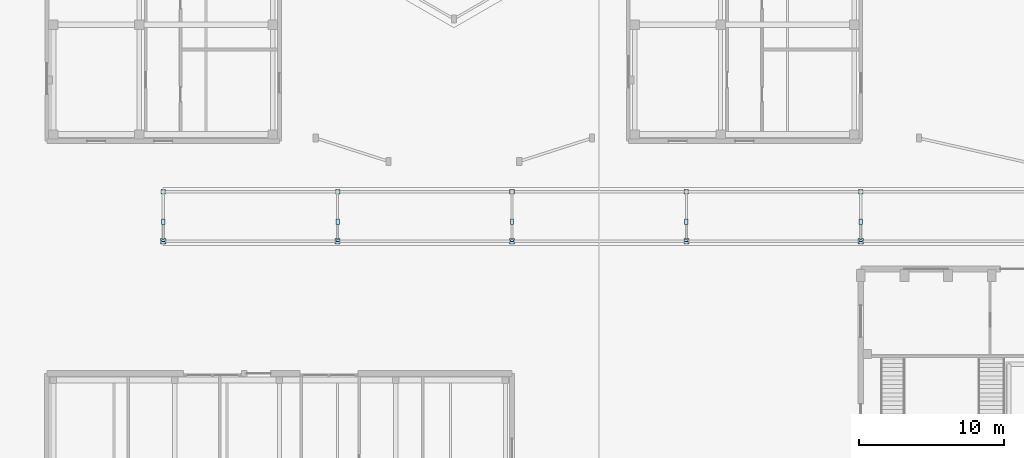
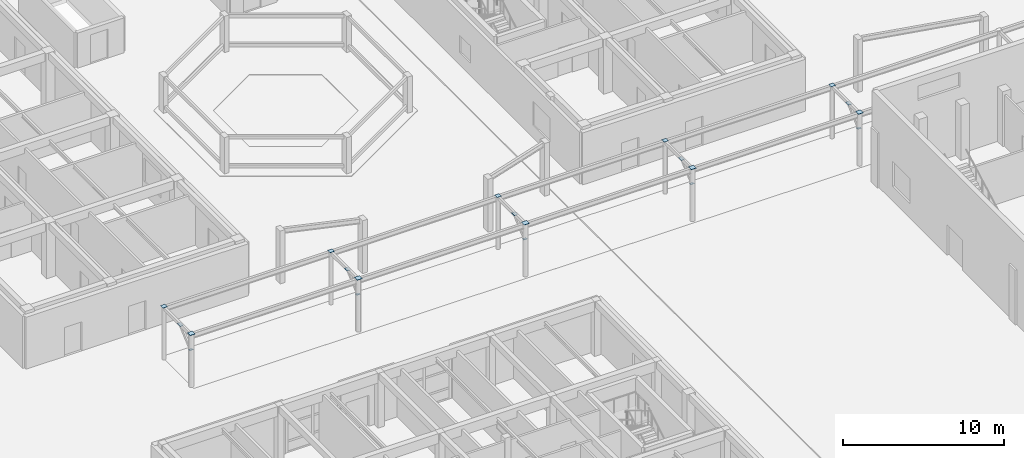
# One storey, part 68 of 114: 20 plates.
"""IFC4 building model written with IfcOpenShell, lengths in metres."""

from ifc_helpers import new_model, si_unit, direction, frame, origin, origin_2d, place, context, subcontext, project, spatial, rectangle, extrude, material, layer, layer_set, type_object, element, save


model = new_model("IFC4")

# Units and contexts
model_context = context("Model", 3, precision=1e-05, world=origin(), true_north=direction((0.0, 1.0)))
body_context = subcontext(model_context, "Body", "Model", "MODEL_VIEW")
ifc_project = project(units=[si_unit("LENGTHUNIT", "METRE"), si_unit("AREAUNIT", "SQUARE_METRE"), si_unit("VOLUMEUNIT", "CUBIC_METRE"), si_unit("PLANEANGLEUNIT", "RADIAN"), si_unit("MASSUNIT", "GRAM", prefix="KILO")], contexts=[model_context])

# Site, building, storey
site_placement = place(None, origin())
site = spatial("IfcSite", under=ifc_project, at=site_placement, CompositionType="ELEMENT")
building_placement = place(site_placement, origin())
building = spatial("IfcBuilding", under=site, at=building_placement, Name="Keldmere Railside Commons", CompositionType="ELEMENT")
storey_placement = place(building_placement, origin())
storey = spatial("IfcBuildingStorey", under=building, at=storey_placement, Name="L00", CompositionType="ELEMENT", Elevation=0.0)

# Plates
ifc_material = material(Name="Steel F-36 (S355)", Category="steel")
ifc_layer_1 = layer(ifc_material, 0.02001953125, Name="Canopy CHS273 Cap Plate 310x310x20")
ifc_layer_set_1 = layer_set([ifc_layer_1], Name="Steel F-36 (S355)")
plate_type_1 = type_object("IfcPlateType", Name="Canopy CHS273 Cap Plate 310x310x20", PredefinedType="SHEET", material=ifc_layer_set_1)
for number, where, z_axis, x_axis, name in (
    (1, (16.0, 52.5, 3.989990234375), (0.0, 0.0, 1.0), (1.0, 0.0, 0.0), "CP-2 CP-0152"),
    (2, (28.0, 52.5, 3.989990234375), (0.0, 0.0, 1.0), (1.0, 0.0, 0.0), "CP-2 CP-0281"),
    (3, (40.0, 52.5, 3.989990234375), (0.0, 0.0, 1.0), (1.0, 0.0, 0.0), "CP-2 CP-0369"),
    (4, (52.0, 52.5, 3.989990234375), (0.0, 0.0, 1.0), (1.0, 0.0, 0.0), "CP-2 CP-0476"),
    (5, (64.0, 52.5, 3.989990234375), (0.0, 0.0, 1.0), (1.0, 0.0, 0.0), "CP-2 CP-0636"),
):
    element("IfcPlate", number, at=place(storey_placement, frame(where, z_axis=z_axis, x_axis=x_axis)), inside=storey, type_object=plate_type_1, Name=name, PredefinedType="SHEET", context=body_context, shape_type="SweptSolid", body=[
        extrude(rectangle(XDim=0.31005859375, YDim=0.31005859375, at=origin_2d()), origin(), (0.0, 0.0, 1.0), 0.02001953125),
    ])
ifc_layer_2 = layer(ifc_material, 0.01806640625, Name="Canopy Node Gusset Plate 380x240x18")
ifc_layer_set_2 = layer_set([ifc_layer_2], Name="Steel F-36 (S355)")
plate_type_2 = type_object("IfcPlateType", Name="Canopy Node Gusset Plate 380x240x18", PredefinedType="USERDEFINED", material=ifc_layer_set_2)
for number, where, z_axis, x_axis, name in (
    (6, (16.0, 50.449951171875, 3.85107421875), (0.0, 0.0, 1.0), (0.0, 1.0, 0.0), "NP-4 Canopy Gusset 1"),
    (7, (28.0, 50.449951171875, 3.85107421875), (0.0, 0.0, 1.0), (0.0, 1.0, 0.0), "NP-4 Canopy Gusset 2"),
    (8, (40.0, 50.449951171875, 3.85107421875), (0.0, 0.0, 1.0), (0.0, 1.0, 0.0), "NP-4 Canopy Gusset 3"),
    (9, (52.0, 50.449951171875, 3.85107421875), (0.0, 0.0, 1.0), (0.0, 1.0, 0.0), "NP-4 Canopy Gusset 4"),
    (10, (64.0, 50.449951171875, 3.85107421875), (0.0, 0.0, 1.0), (0.0, 1.0, 0.0), "NP-4 Canopy Gusset 5"),
):
    element("IfcPlate", number, at=place(storey_placement, frame(where, z_axis=z_axis, x_axis=x_axis)), inside=storey, type_object=plate_type_2, Name=name, ObjectType="GUSSET_PLATE", PredefinedType="USERDEFINED", context=body_context, shape_type="SweptSolid", body=[
        extrude(rectangle(XDim=0.3798828125, YDim=0.239990234375, at=origin_2d()), origin(), (0.0, 0.0, 1.0), 0.01806640625),
    ])
ifc_layer_3 = layer(ifc_material, 0.02392578125, Name="Colonnade CHS324 Cap Plate 360x360x24")
ifc_layer_set_3 = layer_set([ifc_layer_3], Name="Steel F-36 (S355)")
plate_type_3 = type_object("IfcPlateType", Name="Colonnade CHS324 Cap Plate 360x360x24", PredefinedType="SHEET", material=ifc_layer_set_3)
for number, where, z_axis, x_axis, name in (
    (11, (16.0, 49.10009765625, 3.986083984375), (0.0, 0.0, 1.0), (1.0, 0.0, 0.0), "CP-1 CP-0150"),
    (12, (28.0, 49.10009765625, 3.986083984375), (0.0, 0.0, 1.0), (1.0, 0.0, 0.0), "CP-1 CP-0279"),
    (13, (40.0, 49.10009765625, 3.986083984375), (0.0, 0.0, 1.0), (1.0, 0.0, 0.0), "CP-1 CP-0367"),
    (14, (52.0, 49.10009765625, 3.986083984375), (0.0, 0.0, 1.0), (1.0, 0.0, 0.0), "CP-1 CP-0474"),
    (15, (64.0, 49.10009765625, 3.986083984375), (0.0, 0.0, 1.0), (1.0, 0.0, 0.0), "CP-1 CP-0634"),
):
    element("IfcPlate", number, at=place(storey_placement, frame(where, z_axis=z_axis, x_axis=x_axis)), inside=storey, type_object=plate_type_3, Name=name, PredefinedType="SHEET", context=body_context, shape_type="SweptSolid", body=[
        extrude(rectangle(XDim=0.360107421875, YDim=0.360107421875, at=origin_2d()), origin(), (0.0, 0.0, 1.0), 0.02392578125),
    ])
ifc_layer_4 = layer(ifc_material, 0.01611328125, Name="Strut End Cap Plate 240x160x16")
ifc_layer_set_4 = layer_set([ifc_layer_4], Name="Steel F-36 (S355)")
plate_type_4 = type_object("IfcPlateType", Name="Strut End Cap Plate 240x160x16", PredefinedType="SHEET", material=ifc_layer_set_4)
for number, where, z_axis, x_axis, name in (
    (16, (16.0, 49.159912109375, 2.741943359375), (0.0, 0.0, 1.0), (1.0, 0.0, 0.0), "CP-3 Strut Cap 1"),
    (17, (28.0, 49.159912109375, 2.741943359375), (0.0, 0.0, 1.0), (1.0, 0.0, 0.0), "CP-3 Strut Cap 2"),
    (18, (40.0, 49.159912109375, 2.741943359375), (0.0, 0.0, 1.0), (1.0, 0.0, 0.0), "CP-3 Strut Cap 3"),
    (19, (52.0, 49.159912109375, 2.741943359375), (0.0, 0.0, 1.0), (1.0, 0.0, 0.0), "CP-3 Strut Cap 4"),
    (20, (64.0, 49.159912109375, 2.741943359375), (0.0, 0.0, 1.0), (1.0, 0.0, 0.0), "CP-3 Strut Cap 5"),
):
    element("IfcPlate", number, at=place(storey_placement, frame(where, z_axis=z_axis, x_axis=x_axis)), inside=storey, type_object=plate_type_4, Name=name, PredefinedType="SHEET", context=body_context, shape_type="SweptSolid", body=[
        extrude(rectangle(XDim=0.239990234375, YDim=0.159912109375, at=origin_2d()), origin(), (0.0, 0.0, 1.0), 0.01611328125),
    ])

save(model, "model.ifc")
